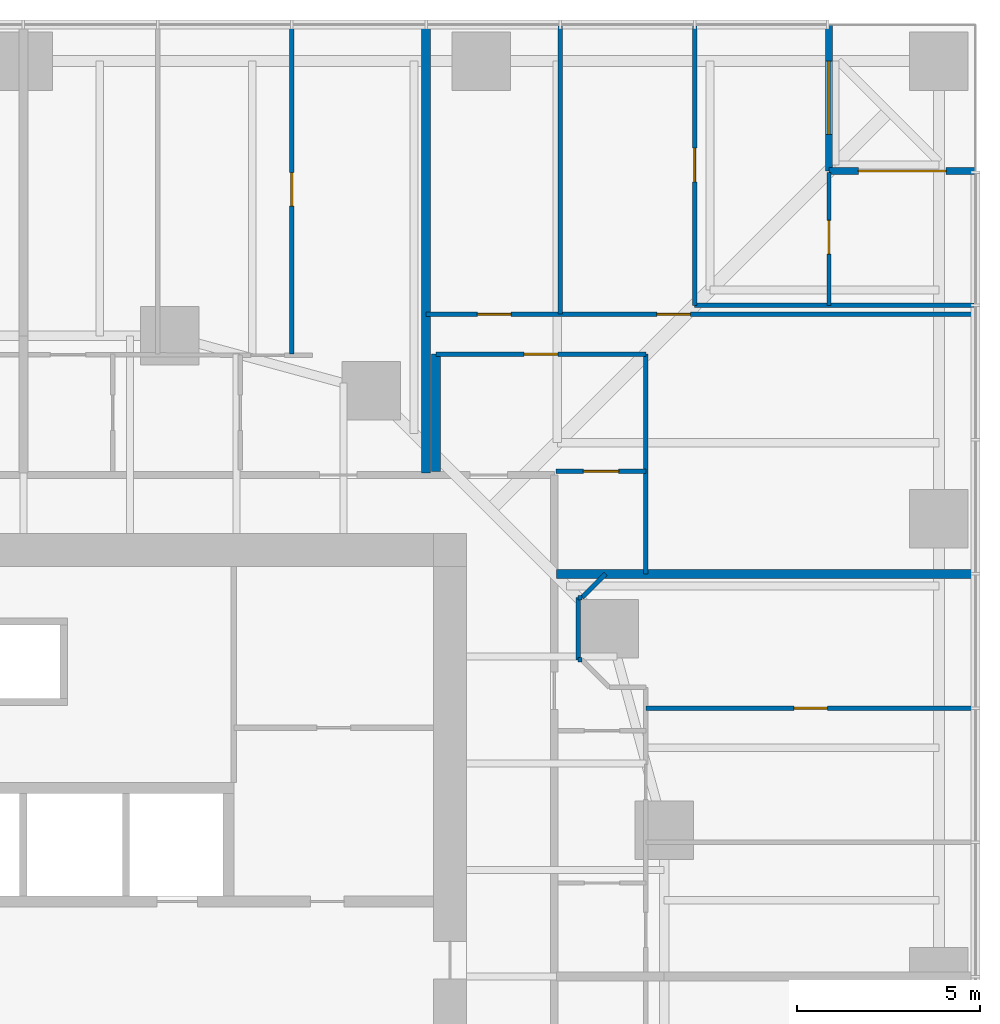
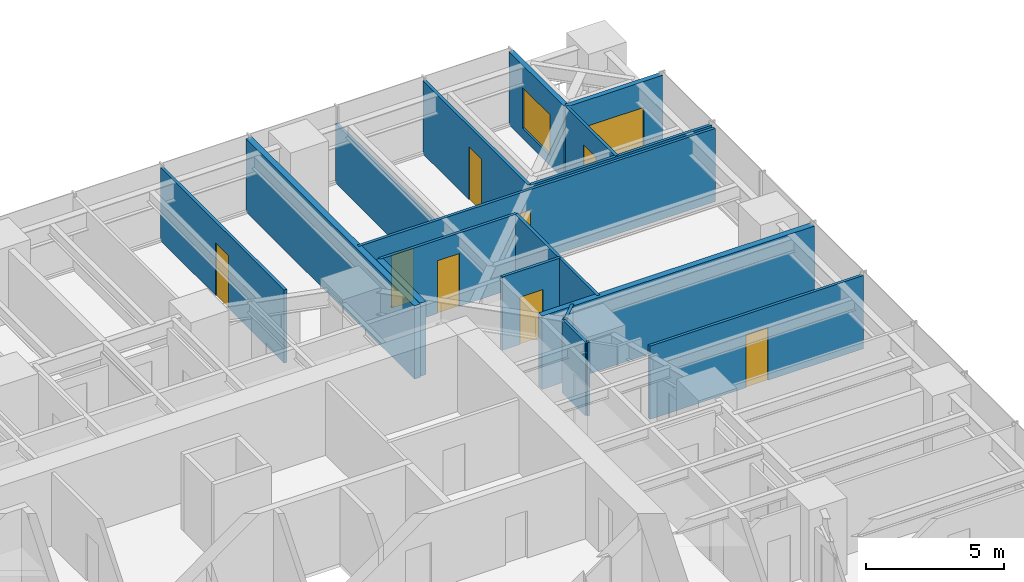
# One storey, part 15 of 17: 19 walls, 9 doors, 1 window, 10 openings.
"""IFC4 building model written with IfcOpenShell, lengths in metres."""

from ifc_helpers import new_model, si_unit, direction, frame, frame_2d, origin, place, context, subcontext, project, spatial, rectangle, extrude, material, layer, layer_set, type_object, element, fill, save


model = new_model("IFC4")

# Units and contexts
model_context = context("Model", 3, precision=1e-05, world=origin(), true_north=direction((0.0, 1.0)))
body_context = subcontext(model_context, "Body", "Model", "MODEL_VIEW")
ifc_project = project(units=[si_unit("LENGTHUNIT", "METRE"), si_unit("AREAUNIT", "SQUARE_METRE"), si_unit("VOLUMEUNIT", "CUBIC_METRE"), si_unit("PLANEANGLEUNIT", "RADIAN"), si_unit("MASSUNIT", "GRAM", prefix="KILO")], contexts=[model_context])

# Site, building, storey
site_placement = place(None, origin())
site = spatial("IfcSite", under=ifc_project, at=site_placement, CompositionType="ELEMENT")
building_placement = place(site_placement, origin())
building = spatial("IfcBuilding", under=site, at=building_placement, Name="Torsade Residences", CompositionType="ELEMENT")
storey_placement = place(building_placement, frame((0.0, 0.0, 21.800048828125)))
storey = spatial("IfcBuildingStorey", under=building, at=storey_placement, Name="L05", CompositionType="ELEMENT", Elevation=21.800048828125)

# Walls
ifc_material_1 = material(Name="Plasterboard on steel stud", Category="steel")
ifc_layer_1 = layer(ifc_material_1, 0.1201171875)
ifc_layer_set_1 = layer_set([ifc_layer_1], Name="Plasterboard on steel stud")
wall_type_1 = type_object("IfcWallType", Name="PARTITION 120", PredefinedType="PARTITIONING", material=ifc_layer_set_1)
wall_1_placement = place(storey_placement, frame((55.89990234375, 41.0, 0.0), z_axis=(0.0, 0.0, 1.0), x_axis=(-0.707106781187, -0.707106781187, 0.0)))
element("IfcWall", 1, at=wall_1_placement, inside=storey, type_object=wall_type_1, Name="Partition L05", PredefinedType="PARTITIONING", context=body_context, shape_type="SweptSolid", body=[
    extrude(rectangle(XDim=0.919189453125, YDim=0.1201171875, at=frame_2d((0.45947265625, 0.0))), origin(), (0.0, 0.0, 1.0), 3.25),
])
wall_2_placement = place(storey_placement, frame((55.14990234375, 40.35009765625, 0.0), z_axis=(0.0, 0.0, 1.0), x_axis=(0.0, -1.0, 0.0)))
element("IfcWall", 2, at=wall_2_placement, inside=storey, type_object=wall_type_1, Name="Partition L05", PredefinedType="PARTITIONING", context=body_context, shape_type="SweptSolid", body=[
    extrude(rectangle(XDim=1.7001953125, YDim=0.1201171875, at=frame_2d((0.85009765625, 0.0))), origin(), (0.0, 0.0, 1.0), 3.25),
])

# Wall, opening, door
wall_3_placement = place(storey_placement, frame((65.9599609375, 37.333251953125, 0.0), z_axis=(0.0, 0.0, 1.0), x_axis=(-1.0, 0.0, 0.0)))
wall_3 = element("IfcWall", 3, at=wall_3_placement, inside=storey, type_object=wall_type_1, Name="Partition L05", PredefinedType="PARTITIONING", context=body_context, shape_type="SweptSolid", body=[
    extrude(rectangle(XDim=8.9599609375, YDim=0.1201171875, at=frame_2d((4.47998046875, 0.0))), origin(), (0.0, 0.0, 1.0), 3.25),
])
opening_1_placement = place(wall_3_placement, frame((4.0, 0.0, 0.0)))
opening_1 = element("IfcOpeningElement", 4, at=opening_1_placement, cuts=wall_3, Name="Opening D02", PredefinedType="OPENING", context=body_context, shape_type="SweptSolid", body=[
    extrude(rectangle(XDim=0.919921875, YDim=2.340087890625, at=frame_2d((0.4599609375, 1.169921875))), frame((0.0, 0.070068359375, 0.0), z_axis=(0.0, -1.0, 0.0), x_axis=(1.0, 0.0, 0.0)), (0.0, 0.0, 1.0), 0.14013671875),
])
ifc_material_2 = material(Name="Hollow-core timber door", Category="wood")
door_type_1 = type_object("IfcDoorType", Name="INTERNAL DOOR 920x2340", OperationType="NOTDEFINED", PredefinedType="DOOR", material=ifc_material_2)
door_1_placement = place(opening_1_placement, origin())
door_1 = element("IfcDoor", 5, at=door_1_placement, inside=storey, type_object=door_type_1, Name="Door Bedroom 2 to Bedroom 1", OperationType="SINGLE_SWING_RIGHT", OverallHeight=2.340087890625, OverallWidth=0.919921875, PredefinedType="DOOR", context=body_context, shape_type="SweptSolid", body=[
    extrude(rectangle(XDim=0.919921875, YDim=2.340087890625, at=frame_2d((0.4599609375, 1.169921875))), frame((0.0, 0.02490234375, 0.0), z_axis=(0.0, -1.0, 0.0), x_axis=(1.0, 0.0, 0.0)), (0.0, 0.0, 1.0), 0.050048828125),
])
fill(opening_1, door_1)

wall_4_placement = place(storey_placement, frame((57.0, 43.800048828125, 0.0), z_axis=(0.0, 0.0, 1.0), x_axis=(-1.0, 0.0, 0.0)))
wall_4 = element("IfcWall", 6, at=wall_4_placement, inside=storey, type_object=wall_type_1, Name="Partition L05", PredefinedType="PARTITIONING", context=body_context, shape_type="SweptSolid", body=[
    extrude(rectangle(XDim=2.449951171875, YDim=0.1201171875, at=frame_2d((1.22509765625, 0.0))), origin(), (0.0, 0.0, 1.0), 3.25),
])
opening_2_placement = place(wall_4_placement, frame((0.7451171875, 0.0, 0.0)))
opening_2 = element("IfcOpeningElement", 7, at=opening_2_placement, cuts=wall_4, Name="Opening D05", PredefinedType="OPENING", context=body_context, shape_type="SweptSolid", body=[
    extrude(rectangle(XDim=0.9599609375, YDim=2.10009765625, at=frame_2d((0.47998046875, 1.050048828125))), frame((0.0, 0.070068359375, 0.0), z_axis=(0.0, -1.0, 0.0), x_axis=(1.0, 0.0, 0.0)), (0.0, 0.0, 1.0), 0.14013671875),
])
ifc_material_3 = material(Name="Hollow-core timber door in a steel cavity frame", Category="steel")
door_type_2 = type_object("IfcDoorType", Name="BATHROOM CAVITY SLIDING DOOR 960", OperationType="SLIDING_TO_LEFT", PredefinedType="DOOR", material=ifc_material_3)
door_2_placement = place(opening_2_placement, origin())
door_2 = element("IfcDoor", 8, at=door_2_placement, inside=storey, type_object=door_type_2, Name="Door Kitchen and dining to Bathroom", OperationType="SLIDING_TO_LEFT", OverallHeight=2.10009765625, OverallWidth=0.9599609375, PredefinedType="DOOR", context=body_context, shape_type="SweptSolid", body=[
    extrude(rectangle(XDim=0.9599609375, YDim=2.10009765625, at=frame_2d((0.47998046875, 1.050048828125))), frame((0.0, 0.02490234375, 0.0), z_axis=(0.0, -1.0, 0.0), x_axis=(1.0, 0.0, 0.0)), (0.0, 0.0, 1.0), 0.050048828125),
])
fill(opening_2, door_2)

wall_5_placement = place(storey_placement, frame((51.267578125, 47.0, 0.0), z_axis=(0.0, 0.0, 1.0), x_axis=(1.0, 0.0, 0.0)))
wall_5 = element("IfcWall", 9, at=wall_5_placement, inside=storey, type_object=wall_type_1, Name="Partition L05", PredefinedType="PARTITIONING", context=body_context, shape_type="SweptSolid", body=[
    extrude(rectangle(XDim=5.732421875, YDim=0.1201171875, at=frame_2d((2.8662109375, 0.0))), origin(), (0.0, 0.0, 1.0), 3.25),
])
opening_3_placement = place(wall_5_placement, frame((2.40625, 0.0, 0.0)))
opening_3 = element("IfcOpeningElement", 10, at=opening_3_placement, cuts=wall_5, Name="Opening D02", PredefinedType="OPENING", context=body_context, shape_type="SweptSolid", body=[
    extrude(rectangle(XDim=0.919921875, YDim=2.340087890625, at=frame_2d((0.4599609375, 1.169921875))), frame((0.0, 0.070068359375, 0.0), z_axis=(0.0, -1.0, 0.0), x_axis=(1.0, 0.0, 0.0)), (0.0, 0.0, 1.0), 0.14013671875),
])
door_3_placement = place(opening_3_placement, origin())
door_3 = element("IfcDoor", 11, at=door_3_placement, inside=storey, type_object=door_type_1, Name="Door Kitchen and dining to Living room", OperationType="SINGLE_SWING_LEFT", OverallHeight=2.340087890625, OverallWidth=0.919921875, PredefinedType="DOOR", context=body_context, shape_type="SweptSolid", body=[
    extrude(rectangle(XDim=0.919921875, YDim=2.340087890625, at=frame_2d((0.4599609375, 1.169921875))), frame((0.0, 0.02490234375, 0.0), z_axis=(0.0, -1.0, 0.0), x_axis=(1.0, 0.0, 0.0)), (0.0, 0.0, 1.0), 0.050048828125),
])
fill(opening_3, door_3)

# Wall
wall_6_placement = place(storey_placement, frame((57.0, 47.0, 0.0), z_axis=(0.0, 0.0, 1.0), x_axis=(0.0, -1.0, 0.0)))
element("IfcWall", 12, at=wall_6_placement, inside=storey, type_object=wall_type_1, Name="Partition L05", PredefinedType="PARTITIONING", context=body_context, shape_type="SweptSolid", body=[
    extrude(rectangle(XDim=6.0, YDim=0.1201171875, at=frame_2d((3.0, 0.0))), origin(), (0.0, 0.0, 1.0), 3.25),
])

# Wall, openings, doors
wall_7_placement = place(storey_placement, frame((51.0, 48.089111328125, 0.0), z_axis=(0.0, 0.0, 1.0), x_axis=(1.0, 0.0, 0.0)))
wall_7 = element("IfcWall", 13, at=wall_7_placement, inside=storey, type_object=wall_type_1, Name="Partition L05", PredefinedType="PARTITIONING", context=body_context, shape_type="SweptSolid", body=[
    extrude(rectangle(XDim=14.9599609375, YDim=0.1201171875, at=frame_2d((7.47998046875, 0.0))), origin(), (0.0, 0.0, 1.0), 3.25),
])
opening_4_placement = place(wall_7_placement, frame((6.29833984375, 0.0, 0.0)))
opening_4 = element("IfcOpeningElement", 14, at=opening_4_placement, cuts=wall_7, Name="Opening D02", PredefinedType="OPENING", context=body_context, shape_type="SweptSolid", body=[
    extrude(rectangle(XDim=0.919921875, YDim=2.340087890625, at=frame_2d((0.4599609375, 1.169921875))), frame((0.0, 0.070068359375, 0.0), z_axis=(0.0, -1.0, 0.0), x_axis=(1.0, 0.0, 0.0)), (0.0, 0.0, 1.0), 0.14013671875),
])
opening_5_placement = place(wall_7_placement, frame((1.3984375, 0.0, 0.0)))
opening_5 = element("IfcOpeningElement", 15, at=opening_5_placement, cuts=wall_7, Name="Opening D02", PredefinedType="OPENING", context=body_context, shape_type="SweptSolid", body=[
    extrude(rectangle(XDim=0.919921875, YDim=2.340087890625, at=frame_2d((0.4599609375, 1.169921875))), frame((0.0, 0.070068359375, 0.0), z_axis=(0.0, -1.0, 0.0), x_axis=(1.0, 0.0, 0.0)), (0.0, 0.0, 1.0), 0.14013671875),
])
door_4_placement = place(opening_4_placement, origin())
door_4 = element("IfcDoor", 16, at=door_4_placement, inside=storey, type_object=door_type_1, Name="Door Living room to Bedroom 1", OperationType="SINGLE_SWING_LEFT", OverallHeight=2.340087890625, OverallWidth=0.919921875, PredefinedType="DOOR", context=body_context, shape_type="SweptSolid", body=[
    extrude(rectangle(XDim=0.919921875, YDim=2.340087890625, at=frame_2d((0.4599609375, 1.169921875))), frame((0.0, 0.02490234375, 0.0), z_axis=(0.0, -1.0, 0.0), x_axis=(1.0, 0.0, 0.0)), (0.0, 0.0, 1.0), 0.050048828125),
])
fill(opening_4, door_4)
door_5_placement = place(opening_5_placement, origin())
door_5 = element("IfcDoor", 17, at=door_5_placement, inside=storey, type_object=door_type_1, Name="Door Living room to Bedroom 2", OperationType="SINGLE_SWING_RIGHT", OverallHeight=2.340087890625, OverallWidth=0.919921875, PredefinedType="DOOR", context=body_context, shape_type="SweptSolid", body=[
    extrude(rectangle(XDim=0.919921875, YDim=2.340087890625, at=frame_2d((0.4599609375, 1.169921875))), frame((0.0, 0.02490234375, 0.0), z_axis=(0.0, -1.0, 0.0), x_axis=(1.0, 0.0, 0.0)), (0.0, 0.0, 1.0), 0.050048828125),
])
fill(opening_5, door_5)

# Wall
wall_8_placement = place(storey_placement, frame((54.666748046875, 48.089111328125, 0.0), z_axis=(0.0, 0.0, 1.0), x_axis=(0.0, 1.0, 0.0)))
element("IfcWall", 18, at=wall_8_placement, inside=storey, type_object=wall_type_1, Name="Partition L05", PredefinedType="PARTITIONING", context=body_context, shape_type="SweptSolid", body=[
    extrude(rectangle(XDim=7.870849609375, YDim=0.1201171875, at=frame_2d((3.935546875, 0.0))), origin(), (0.0, 0.0, 1.0), 2.637939453125),
])

# Wall, opening, door
wall_9_placement = place(storey_placement, frame((58.333251953125, 55.9599609375, 0.0), z_axis=(0.0, 0.0, 1.0), x_axis=(0.0, -1.0, 0.0)))
wall_9 = element("IfcWall", 19, at=wall_9_placement, inside=storey, type_object=wall_type_1, Name="Partition L05", PredefinedType="PARTITIONING", context=body_context, shape_type="SweptSolid", body=[
    extrude(rectangle(XDim=7.626708984375, YDim=0.1201171875, at=frame_2d((3.8134765625, 0.0))), origin(), (0.0, 0.0, 1.0), 3.25),
])
opening_6_placement = place(wall_9_placement, frame((3.333251953125, 0.0, 0.0)))
opening_6 = element("IfcOpeningElement", 20, at=opening_6_placement, cuts=wall_9, Name="Opening D02", PredefinedType="OPENING", context=body_context, shape_type="SweptSolid", body=[
    extrude(rectangle(XDim=0.919921875, YDim=2.340087890625, at=frame_2d((0.4599609375, 1.169921875))), frame((0.0, 0.070068359375, 0.0), z_axis=(0.0, -1.0, 0.0), x_axis=(1.0, 0.0, 0.0)), (0.0, 0.0, 1.0), 0.14013671875),
])
door_6_placement = place(opening_6_placement, origin())
door_6 = element("IfcDoor", 21, at=door_6_placement, inside=storey, type_object=door_type_1, Name="Door Bedroom 1 to Study", OperationType="SINGLE_SWING_RIGHT", OverallHeight=2.340087890625, OverallWidth=0.919921875, PredefinedType="DOOR", context=body_context, shape_type="SweptSolid", body=[
    extrude(rectangle(XDim=0.919921875, YDim=2.340087890625, at=frame_2d((0.4599609375, 1.169921875))), frame((0.0, 0.02490234375, 0.0), z_axis=(0.0, -1.0, 0.0), x_axis=(1.0, 0.0, 0.0)), (0.0, 0.0, 1.0), 0.050048828125),
])
fill(opening_6, door_6)

# Wall
wall_10_placement = place(storey_placement, frame((58.333251953125, 48.333251953125, 0.0), z_axis=(0.0, 0.0, 1.0), x_axis=(1.0, 0.0, 0.0)))
element("IfcWall", 22, at=wall_10_placement, inside=storey, type_object=wall_type_1, Name="Partition L05", PredefinedType="PARTITIONING", context=body_context, shape_type="SweptSolid", body=[
    extrude(rectangle(XDim=7.626708984375, YDim=0.1201171875, at=frame_2d((3.8134765625, 0.0))), origin(), (0.0, 0.0, 1.0), 3.25),
])

# Wall, opening, door
wall_11_placement = place(storey_placement, frame((62.0, 51.9599609375, 0.0), z_axis=(0.0, 0.0, 1.0), x_axis=(0.0, -1.0, 0.0)))
wall_11 = element("IfcWall", 23, at=wall_11_placement, inside=storey, type_object=wall_type_1, Name="Partition L05", PredefinedType="PARTITIONING", context=body_context, shape_type="SweptSolid", body=[
    extrude(rectangle(XDim=3.626708984375, YDim=0.1201171875, at=frame_2d((1.8134765625, 0.0))), origin(), (0.0, 0.0, 1.0), 3.25),
])
opening_7_placement = place(wall_11_placement, frame((1.308349609375, 0.0, 0.0)))
opening_7 = element("IfcOpeningElement", 24, at=opening_7_placement, cuts=wall_11, Name="Opening D02", PredefinedType="OPENING", context=body_context, shape_type="SweptSolid", body=[
    extrude(rectangle(XDim=0.919921875, YDim=2.340087890625, at=frame_2d((0.4599609375, 1.169921875))), frame((0.0, 0.070068359375, 0.0), z_axis=(0.0, -1.0, 0.0), x_axis=(1.0, 0.0, 0.0)), (0.0, 0.0, 1.0), 0.14013671875),
])
door_7_placement = place(opening_7_placement, origin())
door_7 = element("IfcDoor", 25, at=door_7_placement, inside=storey, type_object=door_type_1, Name="Door Study to Family room", OperationType="SINGLE_SWING_RIGHT", OverallHeight=2.340087890625, OverallWidth=0.919921875, PredefinedType="DOOR", context=body_context, shape_type="SweptSolid", body=[
    extrude(rectangle(XDim=0.919921875, YDim=2.340087890625, at=frame_2d((0.4599609375, 1.169921875))), frame((0.0, 0.02490234375, 0.0), z_axis=(0.0, -1.0, 0.0), x_axis=(1.0, 0.0, 0.0)), (0.0, 0.0, 1.0), 0.050048828125),
])
fill(opening_7, door_7)

wall_12_placement = place(storey_placement, frame((47.333251953125, 47.0, 0.0), z_axis=(0.0, 0.0, 1.0), x_axis=(0.0, 1.0, 0.0)))
wall_12 = element("IfcWall", 26, at=wall_12_placement, inside=storey, type_object=wall_type_1, Name="Partition L05", PredefinedType="PARTITIONING", context=body_context, shape_type="SweptSolid", body=[
    extrude(rectangle(XDim=8.9599609375, YDim=0.1201171875, at=frame_2d((4.47998046875, 0.0))), origin(), (0.0, 0.0, 1.0), 3.25),
])
opening_8_placement = place(wall_12_placement, frame((4.0400390625, 0.0, 0.0)))
opening_8 = element("IfcOpeningElement", 27, at=opening_8_placement, cuts=wall_12, Name="Opening D02", PredefinedType="OPENING", context=body_context, shape_type="SweptSolid", body=[
    extrude(rectangle(XDim=0.919921875, YDim=2.340087890625, at=frame_2d((0.4599609375, 1.169921875))), frame((0.0, 0.070068359375, 0.0), z_axis=(0.0, -1.0, 0.0), x_axis=(1.0, 0.0, 0.0)), (0.0, 0.0, 1.0), 0.14013671875),
])
door_8_placement = place(opening_8_placement, origin())
door_8 = element("IfcDoor", 28, at=door_8_placement, inside=storey, type_object=door_type_1, Name="Door Bedroom 2 to Living room", OperationType="SINGLE_SWING_RIGHT", OverallHeight=2.340087890625, OverallWidth=0.919921875, PredefinedType="DOOR", context=body_context, shape_type="SweptSolid", body=[
    extrude(rectangle(XDim=0.919921875, YDim=2.340087890625, at=frame_2d((0.4599609375, 1.169921875))), frame((0.0, 0.02490234375, 0.0), z_axis=(0.0, -1.0, 0.0), x_axis=(1.0, 0.0, 0.0)), (0.0, 0.0, 1.0), 0.050048828125),
])
fill(opening_8, door_8)

# Walls
for number, where, z_axis, x_axis, name in (
    (29, (55.14990234375, 40.35009765625, 0.0), (0.0, 0.0, 1.0), (1.0, 0.0, 0.0), "Partition L05"),
    (30, (55.14990234375, 38.64990234375, 0.0), (0.0, 0.0, 1.0), (1.0, 0.0, 0.0), "Partition L05"),
):
    element("IfcWall", number, at=place(storey_placement, frame(where, z_axis=z_axis, x_axis=x_axis)), inside=storey, type_object=wall_type_1, Name=name, PredefinedType="PARTITIONING", context=body_context, shape_type="SweptSolid", body=[
        extrude(rectangle(XDim=0.10009765625, YDim=0.1201171875, at=frame_2d((0.050048828125, 0.0))), origin(), (0.0, 0.0, 1.0), 3.25),
    ])
ifc_material_4 = material(Name="Masonry-lined stud party wall", Category="masonry")
ifc_layer_2 = layer(ifc_material_4, 0.25)
ifc_layer_set_2 = layer_set([ifc_layer_2], Name="Masonry-lined stud party wall")
wall_type_2 = type_object("IfcWallType", Name="PARTY WALL 250", PredefinedType="PARTITIONING", material=ifc_layer_set_2)
wall_13_placement = place(storey_placement, frame((66.0, 41.0, 0.0), z_axis=(0.0, 0.0, 1.0), x_axis=(-1.0, 0.0, 0.0)))
element("IfcWall", 31, at=wall_13_placement, inside=storey, type_object=wall_type_2, Name="Party wall L05", PredefinedType="PARTITIONING", context=body_context, shape_type="SweptSolid", body=[
    extrude(rectangle(XDim=11.43994140625, YDim=0.25, at=frame_2d((5.719970703125, 0.0))), origin(), (0.0, 0.0, 1.0), 3.25),
])
wall_14_placement = place(storey_placement, frame((51.0, 56.0, 0.0), z_axis=(0.0, 0.0, 1.0), x_axis=(0.0, -1.0, 0.0)))
element("IfcWall", 32, at=wall_14_placement, inside=storey, type_object=wall_type_2, Name="Party wall L05", PredefinedType="PARTITIONING", context=body_context, shape_type="SweptSolid", body=[
    extrude(rectangle(XDim=12.239990234375, YDim=0.25, at=frame_2d((6.1201171875, 0.0))), origin(), (0.0, 0.0, 1.0), 3.25),
])
wall_15_placement = place(storey_placement, frame((51.267578125, 43.800048828125, 0.0), z_axis=(0.0, 0.0, 1.0), x_axis=(0.0, 1.0, 0.0)))
element("IfcWall", 33, at=wall_15_placement, inside=storey, type_object=wall_type_2, Name="Party wall L05", PredefinedType="PARTITIONING", context=body_context, shape_type="SweptSolid", body=[
    extrude(rectangle(XDim=3.199951171875, YDim=0.25, at=frame_2d((1.60009765625, 0.0))), origin(), (0.0, 0.0, 1.0), 3.25),
])

# Wall, opening, door
ifc_material_5 = material(Name="Stone-faced precast concrete 40 MPa panel", Category="masonry")
ifc_layer_3 = layer(ifc_material_5, 0.199951171875)
ifc_layer_set_3 = layer_set([ifc_layer_3], Name="Stone-faced precast concrete 40 MPa panel")
wall_type_3 = type_object("IfcWallType", Name="TERRACE WALL 200", PredefinedType="SOLIDWALL", material=ifc_layer_set_3)
wall_16_placement = place(storey_placement, frame((66.0, 52.0, 0.0), z_axis=(0.0, 0.0, 1.0), x_axis=(-1.0, 0.0, 0.0)))
wall_16 = element("IfcWall", 34, at=wall_16_placement, inside=storey, type_object=wall_type_3, Name="Terrace wall L05 5", PredefinedType="SOLIDWALL", context=body_context, shape_type="SweptSolid", body=[
    extrude(rectangle(XDim=4.0, YDim=0.199951171875, at=frame_2d((2.0, 0.0))), origin(), (0.0, 0.0, 1.0), 3.25),
])
opening_9_placement = place(wall_16_placement, frame((0.800048828125, 0.0, 0.0)))
opening_9 = element("IfcOpeningElement", 35, at=opening_9_placement, cuts=wall_16, Name="Opening D10A", PredefinedType="OPENING", context=body_context, shape_type="SweptSolid", body=[
    extrude(rectangle(XDim=2.39990234375, YDim=2.10009765625, at=frame_2d((1.199951171875, 1.050048828125))), frame((0.0, 0.10986328125, 0.0), z_axis=(0.0, -1.0, 0.0), x_axis=(1.0, 0.0, 0.0)), (0.0, 0.0, 1.0), 0.219970703125),
])
ifc_material_6 = material(Name="Aluminium-framed glass door", Category="aluminium")
door_type_3 = type_object("IfcDoorType", Name="TERRACE SLIDING DOOR 2400x2100", OperationType="SLIDING_TO_LEFT", PredefinedType="DOOR", material=ifc_material_6)
door_9_placement = place(opening_9_placement, origin())
door_9 = element("IfcDoor", 36, at=door_9_placement, inside=storey, type_object=door_type_3, Name="Terrace door L05 5", OperationType="SLIDING_TO_LEFT", OverallHeight=2.10009765625, OverallWidth=2.39990234375, PredefinedType="DOOR", context=body_context, shape_type="SweptSolid", body=[
    extrude(rectangle(XDim=2.39990234375, YDim=2.10009765625, at=frame_2d((1.199951171875, 1.050048828125))), frame((0.0, 0.02490234375, 0.0), z_axis=(0.0, -1.0, 0.0), x_axis=(1.0, 0.0, 0.0)), (0.0, 0.0, 1.0), 0.050048828125),
])
fill(opening_9, door_9)

# Wall, opening, window
wall_17_placement = place(storey_placement, frame((62.0, 52.0, 0.0), z_axis=(0.0, 0.0, 1.0), x_axis=(0.0, 1.0, 0.0)))
wall_17 = element("IfcWall", 37, at=wall_17_placement, inside=storey, type_object=wall_type_3, Name="Terrace wall L05 6", PredefinedType="SOLIDWALL", context=body_context, shape_type="SweptSolid", body=[
    extrude(rectangle(XDim=4.0, YDim=0.199951171875, at=frame_2d((2.0, 0.0))), origin(), (0.0, 0.0, 1.0), 3.25),
])
opening_10_placement = place(wall_17_placement, frame((1.0, 0.0, 0.449951171875)))
opening_10 = element("IfcOpeningElement", 38, at=opening_10_placement, cuts=wall_17, Name="Opening W1B", PredefinedType="OPENING", context=body_context, shape_type="SweptSolid", body=[
    extrude(rectangle(XDim=2.0, YDim=1.800048828125, at=frame_2d((1.0, 0.89990234375))), frame((0.0, 0.10986328125, 0.0), z_axis=(0.0, -1.0, 0.0), x_axis=(1.0, 0.0, 0.0)), (0.0, 0.0, 1.0), 0.219970703125),
])
ifc_material_7 = material(Name="Aluminium-framed glass window", Category="aluminium")
window_type = type_object("IfcWindowType", Name="TERRACE WINDOW 2000x1800", PartitioningType="SINGLE_PANEL", PredefinedType="WINDOW", material=ifc_material_7)
window_placement = place(opening_10_placement, origin())
window = element("IfcWindow", 39, at=window_placement, inside=storey, type_object=window_type, Name="Terrace window L05 6", OverallHeight=1.800048828125, OverallWidth=2.0, PartitioningType="SINGLE_PANEL", PredefinedType="WINDOW", context=body_context, shape_type="SweptSolid", body=[
    extrude(rectangle(XDim=2.0, YDim=1.800048828125, at=frame_2d((1.0, 0.89990234375))), frame((0.0, 0.030029296875, 0.0), z_axis=(0.0, -1.0, 0.0), x_axis=(1.0, 0.0, 0.0)), (0.0, 0.0, 1.0), 0.06005859375),
])
fill(opening_10, window)

save(model, "model.ifc")
